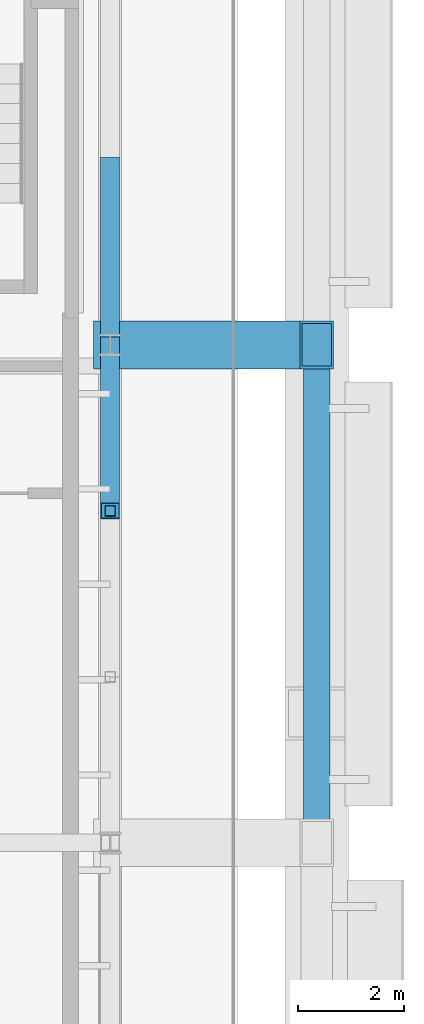
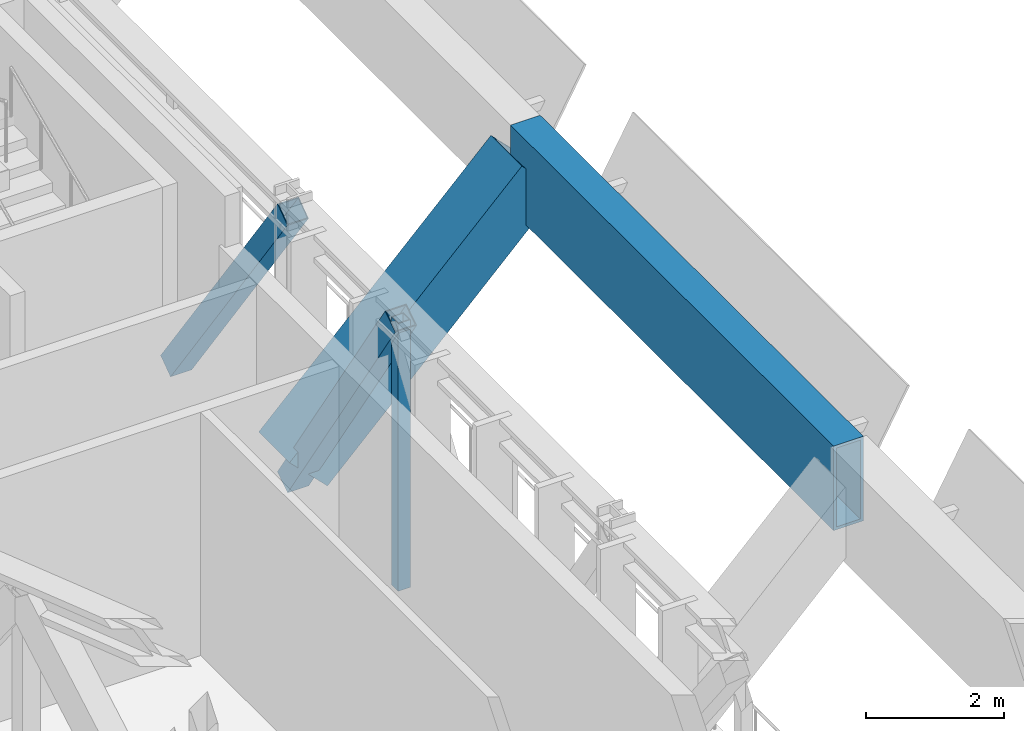
# One storey, part 18 of 32: 4 members, 1 beam.
"""IFC4 building model written with IfcOpenShell, lengths in metres."""

from ifc_helpers import new_model, si_unit, direction, frame, origin, origin_2d, place, context, subcontext, project, spatial, hollow_rectangle, extrude, material, material_profile, profile_set, type_object, element, save


model = new_model("IFC4")

# Units and contexts
model_context = context("Model", 3, precision=1e-05, world=origin(), true_north=direction((0.0, 1.0)))
body_context = subcontext(model_context, "Body", "Model", "MODEL_VIEW")
ifc_project = project(units=[si_unit("LENGTHUNIT", "METRE"), si_unit("AREAUNIT", "SQUARE_METRE"), si_unit("VOLUMEUNIT", "CUBIC_METRE"), si_unit("PLANEANGLEUNIT", "RADIAN"), si_unit("MASSUNIT", "GRAM", prefix="KILO")], contexts=[model_context])

# Site, building, storey
site_placement = place(None, origin())
site = spatial("IfcSite", under=ifc_project, at=site_placement, CompositionType="ELEMENT")
building_placement = place(site_placement, origin())
building = spatial("IfcBuilding", under=site, at=building_placement, Name="Bicima Exchange Tower", CompositionType="ELEMENT")
storey_placement = place(building_placement, frame((0.0, 0.0, 84.5)))
storey = spatial("IfcBuildingStorey", under=building, at=storey_placement, Name="L17", CompositionType="ELEMENT", Elevation=84.5)

# Beam
ifc_material = material(Name="Steel ASTM A572 Gr 50", Category="steel")
ifc_material_profile_1 = material_profile(ifc_material, hollow_rectangle(XDim=0.5, YDim=1.5, WallThickness=0.050048828125, at=origin_2d()))
ifc_profile_set_1 = profile_set([ifc_material_profile_1], Name="Steel ASTM A572 Gr 50")
beam_type = type_object("IfcBeamType", Name="Belt girder BOX 500x1500x50", PredefinedType="BEAM", material=ifc_profile_set_1)
beam_placement = place(storey_placement, frame((37.5, -22.0, 4.5), z_axis=(0.0, 1.0, 0.0), x_axis=(-1.0, 0.0, 0.0)))
element("IfcBeam", 1, at=beam_placement, inside=storey, type_object=beam_type, Name="Belt girder", PredefinedType="BEAM", context=body_context, shape_type="SweptSolid", body=[
    extrude(hollow_rectangle(XDim=0.5, YDim=1.5, WallThickness=0.050048828125, at=origin_2d()), origin(), (0.0, 0.0, 1.0), 9.39990234375),
])

# Members
ifc_material_profile_2 = material_profile(ifc_material, hollow_rectangle(XDim=0.355712890625, YDim=0.355712890625, WallThickness=0.0146484375, at=origin_2d()))
ifc_profile_set_2 = profile_set([ifc_material_profile_2], Name="Steel ASTM A572 Gr 50")
member_type_1 = type_object("IfcMemberType", Name="Belt truss diagonal HSS14x14x5/8", PredefinedType="STRUT", material=ifc_profile_set_2)
member_1_placement = place(storey_placement, frame((33.60009765625, -9.199951171875, 0.248779296875), z_axis=(0.0, -0.581866410253, 0.813284378688), x_axis=(1.0, 0.0, 0.0)))
element("IfcMember", 2, at=member_1_placement, inside=storey, type_object=member_type_1, Name="Truss diagonal", PredefinedType="STRUT", context=body_context, shape_type="SweptSolid", body=[
    extrude(hollow_rectangle(XDim=0.355712890625, YDim=0.355712890625, WallThickness=0.0146484375, at=origin_2d()), origin(), (0.0, 0.0, 1.0), 5.843505859375),
])
member_2_placement = place(storey_placement, frame((33.60009765625, -12.60009765625, 0.248779296875), z_axis=(0.0, -0.550437034479, 0.834876680159), x_axis=(1.0, 0.0, 0.0)))
element("IfcMember", 3, at=member_2_placement, inside=storey, type_object=member_type_1, Name="Truss diagonal", PredefinedType="STRUT", context=body_context, shape_type="SweptSolid", body=[
    extrude(hollow_rectangle(XDim=0.355712890625, YDim=0.355712890625, WallThickness=0.0146484375, at=origin_2d()), origin(), (0.0, 0.0, 1.0), 5.6923828125),
])
ifc_material_profile_3 = material_profile(ifc_material, hollow_rectangle(XDim=0.203125, YDim=0.203125, WallThickness=0.01171875, at=origin_2d()))
ifc_profile_set_3 = profile_set([ifc_material_profile_3], Name="Steel ASTM A572 Gr 50")
member_type_2 = type_object("IfcMemberType", Name="Belt truss post HSS8x8x1/2", PredefinedType="POST", material=ifc_profile_set_3)
member_3_placement = place(storey_placement, frame((33.60009765625, -15.7333984375, 0.248779296875), z_axis=(0.0, 0.0, 1.0), x_axis=(1.0, 0.0, 0.0)))
element("IfcMember", 4, at=member_3_placement, inside=storey, type_object=member_type_2, Name="Truss post", PredefinedType="POST", context=body_context, shape_type="SweptSolid", body=[
    extrude(hollow_rectangle(XDim=0.203125, YDim=0.203125, WallThickness=0.01171875, at=origin_2d()), origin(), (0.0, 0.0, 1.0), 4.75244140625),
])
ifc_material_profile_4 = material_profile(ifc_material, hollow_rectangle(XDim=0.89990234375, YDim=0.89990234375, WallThickness=0.050048828125, at=origin_2d()))
ifc_profile_set_4 = profile_set([ifc_material_profile_4], Name="Steel ASTM A572 Gr 50")
member_type_3 = type_object("IfcMemberType", Name="Exo outrigger stub BOX 900x900x50", PredefinedType="STRUT", material=ifc_profile_set_4)
member_4_placement = place(storey_placement, frame((33.60009765625, -12.60009765625, 0.60009765625), z_axis=(0.707106781187, 0.0, 0.707106781187), x_axis=(0.0, 1.0, 0.0)))
element("IfcMember", 5, at=member_4_placement, inside=storey, type_object=member_type_3, Name="Exo outrigger stub", PredefinedType="STRUT", context=body_context, shape_type="SweptSolid", body=[
    extrude(hollow_rectangle(XDim=0.89990234375, YDim=0.89990234375, WallThickness=0.050048828125, at=origin_2d()), origin(), (0.0, 0.0, 1.0), 5.515380859375),
])

save(model, "model.ifc")
